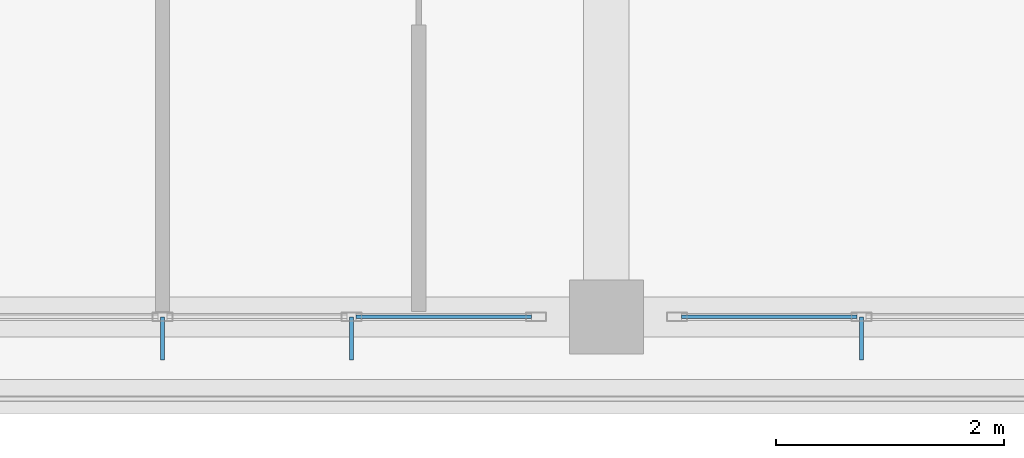
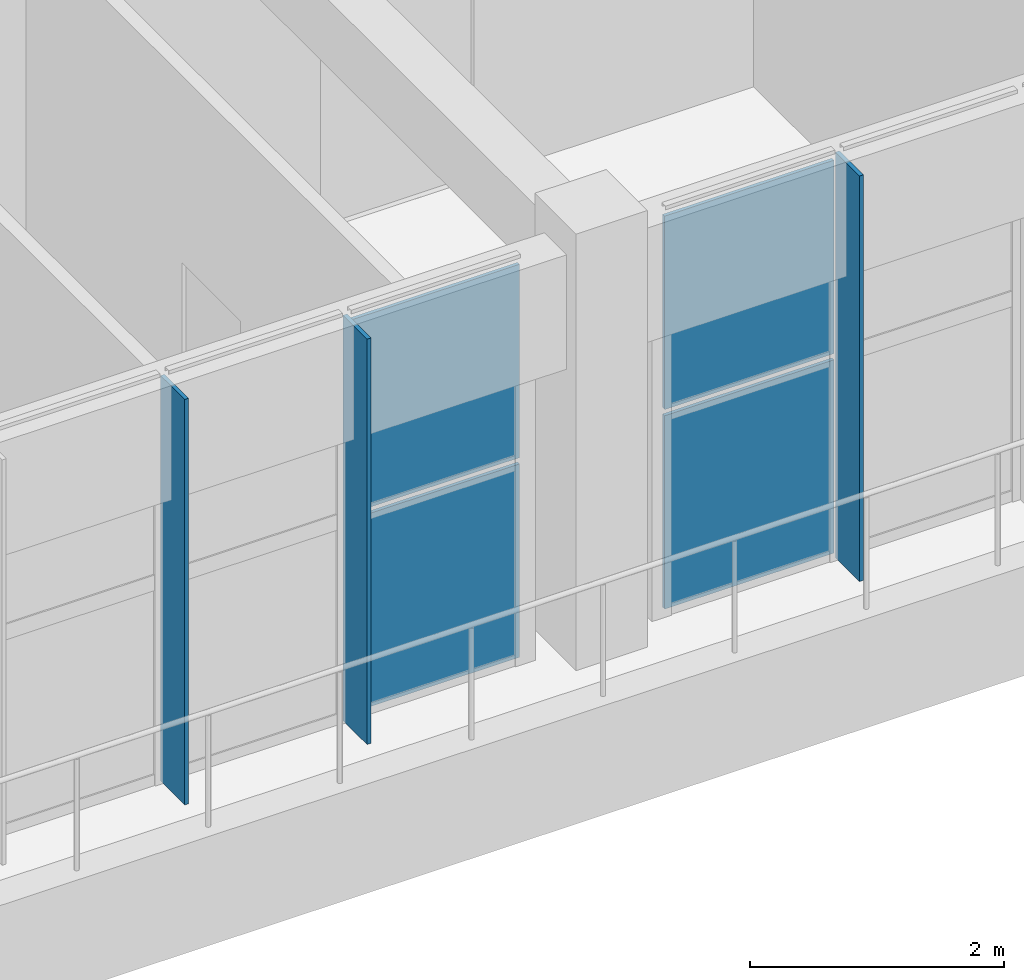
# One storey, part 41 of 57: 7 plates, 2 elements without a shape of their own.
"""IFC4 building model written with IfcOpenShell, lengths in metres."""

import ifcopenshell
import ifcopenshell.guid

model = None  # the IFC model being written
_history = None  # IfcOwnerHistory: only IFC2X3 demands one
_inside = {}  # id of a spatial element -> (the spatial element, [elements in it])
_under = {}  # id of a project, library or spatial element -> (it, [spatial elements below it])
_declared = {}  # id of a project -> (the project, [libraries it declares])
_typed = {}  # id of a type object -> (the type object, [elements of that type])
_made_of = {}  # id of a material, layer set ... -> (it, [elements and type objects made of it])


def new_model(schema):
    """Start an empty IFC model of exactly this schema.

    Asked for "IFC4X3", IfcOpenShell would pick the latest addendum, in which some entities
    have other attributes; the version numbers below select the first issue.
    IFC2X3 requires an IfcOwnerHistory on every rooted entity: one is made here for all.
    """
    global model, _history
    if schema == "IFC4X3":
        model = ifcopenshell.file(schema_version=(4, 3, 0, 0))
    else:
        model = ifcopenshell.file(schema=schema)
    _inside.clear()
    _under.clear()
    _declared.clear()
    _typed.clear()
    _made_of.clear()
    _history = None
    if model.schema == "IFC2X3":
        org = make("IfcOrganization", Name="unknown")
        user = make(
            "IfcPersonAndOrganization",
            ThePerson=make("IfcPerson", FamilyName="unknown"),
            TheOrganization=org,
        )
        app = make(
            "IfcApplication",
            ApplicationDeveloper=org,
            Version="unknown",
            ApplicationFullName="unknown",
            ApplicationIdentifier="unknown",
        )
        _history = make(
            "IfcOwnerHistory",
            OwningUser=user,
            OwningApplication=app,
            ChangeAction="ADDED",
            CreationDate=0,
        )
    return model


def make(cls, **values):
    """One entity of the class cls with the attributes given. An attribute that is None is left unset."""
    return model.create_entity(
        cls, **{name: value for name, value in values.items() if value is not None}
    )


def rooted(cls, **values):
    """An entity with a GlobalId (a new one), such as an element, a storey or a relation."""
    return make(cls, GlobalId=ifcopenshell.guid.new(), OwnerHistory=_history, **values)


def si_unit(unit_type, name, prefix=None):
    """IfcSIUnit, for example si_unit("LENGTHUNIT", "METRE", prefix="MILLI")."""
    return make("IfcSIUnit", UnitType=unit_type, Prefix=prefix, Name=name)


def assignment(units):
    """IfcUnitAssignment: the units of a project."""
    return None if units is None else make("IfcUnitAssignment", Units=units)


def point(xyz):
    """IfcCartesianPoint."""
    return None if xyz is None else make("IfcCartesianPoint", Coordinates=xyz)


def direction(xyz):
    """IfcDirection."""
    return None if xyz is None else make("IfcDirection", DirectionRatios=xyz)


def frame(location, z_axis=None, x_axis=None):
    """IfcAxis2Placement3D, a coordinate frame: its origin and axes. An axis left out is left unset."""
    return make(
        "IfcAxis2Placement3D",
        Location=point(location),
        Axis=direction(z_axis),
        RefDirection=direction(x_axis),
    )


def frame_2d(location, x_axis=None):
    """IfcAxis2Placement2D, a coordinate frame in the plane: its origin and x axis."""
    return make(
        "IfcAxis2Placement2D", Location=point(location), RefDirection=direction(x_axis)
    )


def origin():
    """The frame at (0, 0, 0) with its axes left unset."""
    return frame((0.0, 0.0, 0.0))


def origin_2d():
    """The frame at (0, 0) in the plane with its x axis left unset."""
    return frame_2d((0.0, 0.0))


def place(relative_to, where):
    """IfcLocalPlacement: puts the frame where relative to a parent placement (None: the world)."""
    return make(
        "IfcLocalPlacement", PlacementRelTo=relative_to, RelativePlacement=where
    )


def context(
    kind, dimensions, precision=None, world=None, true_north=None, identifier=None
):
    """IfcGeometricRepresentationContext, for example the 3D "Model" context."""
    return make(
        "IfcGeometricRepresentationContext",
        ContextIdentifier=identifier,
        ContextType=kind,
        CoordinateSpaceDimension=dimensions,
        Precision=precision,
        WorldCoordinateSystem=world,
        TrueNorth=true_north,
    )


def subcontext(parent, identifier, kind, view, scale=None):
    """IfcGeometricRepresentationSubContext, for example "Body" below "Model"."""
    return make(
        "IfcGeometricRepresentationSubContext",
        ContextIdentifier=identifier,
        ContextType=kind,
        ParentContext=parent,
        TargetScale=scale,
        TargetView=view,
    )


def project(units=None, contexts=None):
    """IfcProject with its units and contexts."""
    return rooted(
        "IfcProject",
        Name="project",
        RepresentationContexts=contexts,
        UnitsInContext=assignment(units),
    )


def spatial(cls, under=None, at=None, **own):
    """A site, building, storey or space (cls), placed at a placement, below another one or the project."""
    s = rooted(cls, ObjectPlacement=at, **own)
    if under is not None:
        _under.setdefault(under.id(), (under, []))[1].append(s)
    return s


def polyline(points):
    """IfcPolyline through the points."""
    return make("IfcPolyline", Points=[point(p) for p in points])


def profile(cls, at=None, kind="AREA", **sizes):
    """A parametric profile (cls). Its sizes go by their IFC names, for example OverallWidth=200.0."""
    return make(cls, ProfileType=kind, Position=at, **sizes)


def rectangle(**sizes):
    """IfcRectangleProfileDef."""
    return profile("IfcRectangleProfileDef", **sizes)


def outline(outer, holes=None, kind="AREA"):
    """IfcArbitraryClosedProfileDef: a profile drawn as a closed curve; with holes, ...WithVoids."""
    if holes is None:
        return make("IfcArbitraryClosedProfileDef", ProfileType=kind, OuterCurve=outer)
    return make(
        "IfcArbitraryProfileDefWithVoids",
        ProfileType=kind,
        OuterCurve=outer,
        InnerCurves=holes,
    )


def extrude(swept, where, along, depth):
    """IfcExtrudedAreaSolid: the profile swept, set in the frame where, extruded along a direction by depth."""
    return make(
        "IfcExtrudedAreaSolid",
        SweptArea=swept,
        Position=where,
        ExtrudedDirection=direction(along),
        Depth=depth,
    )


def shape(context_of_items, identifier, shape_type, items):
    """IfcShapeRepresentation: the items that make up one representation, for example the "Body"."""
    return make(
        "IfcShapeRepresentation",
        ContextOfItems=context_of_items,
        RepresentationIdentifier=identifier,
        RepresentationType=shape_type,
        Items=items,
    )


def material(Name=None, Category=None):
    """IfcMaterial."""
    return make("IfcMaterial", Name=Name, Category=Category)


def layer(
    of_material, thickness, ventilated=None, Name=None, Category=None, Priority=None
):
    """IfcMaterialLayer: one layer of a wall or slab, of a material (None: an air gap)."""
    return make(
        "IfcMaterialLayer",
        Material=of_material,
        LayerThickness=thickness,
        IsVentilated=ventilated,
        Name=Name,
        Category=Category,
        Priority=Priority,
    )


def layer_set(layers, Name=None):
    """IfcMaterialLayerSet."""
    return make("IfcMaterialLayerSet", MaterialLayers=layers, LayerSetName=Name)


def made_of(thing, what):
    """Note that an element or type object is made of a material, layer set ...; save() writes the relation."""
    if what is not None:
        _made_of.setdefault(what.id(), (what, []))[1].append(thing)
    return thing


def type_object(cls, material=None, **own):
    """A type object (cls), such as IfcWallType, which elements share."""
    return made_of(rooted(cls, **own), material)


def element(
    cls,
    number,
    at=None,
    inside=None,
    cuts=None,
    type_object=None,
    material=None,
    context=None,
    identifier="Body",
    shape_type=None,
    held_by="IfcProductDefinitionShape",
    body=None,
    shapes=None,
    **own,
):
    """One element of the class cls, such as IfcWall. Its Tag is "e" and its number.

    at: its placement. inside: the storey or other place that contains it. cuts: it is an
    opening in that element (IfcRelVoidsElement). A single representation is given by context,
    identifier, shape_type and body (its items); several are given by shapes. held_by: the class
    of the entity that holds the representations. save() writes the other relations.
    """
    e = rooted(cls, Tag="e%d" % number, ObjectPlacement=at, **own)
    if body is not None:
        shapes = [shape(context, identifier, shape_type, body)]
    if shapes is not None:
        e.Representation = make(held_by, Representations=shapes)
    if inside is not None:
        _inside.setdefault(inside.id(), (inside, []))[1].append(e)
    if cuts is not None:
        rooted(
            "IfcRelVoidsElement", RelatingBuildingElement=cuts, RelatedOpeningElement=e
        )
    if type_object is not None:
        _typed.setdefault(type_object.id(), (type_object, []))[1].append(e)
    return made_of(e, material)


def aggregate(whole, parts):
    """IfcRelAggregates: a whole, such as a stair, and the parts it consists of."""
    return rooted("IfcRelAggregates", RelatingObject=whole, RelatedObjects=parts)


def save(model, path):
    """Write the relations noted so far, then the file.

    IfcRelAggregates (storeys below a building ...), IfcRelContainedInSpatialStructure (elements
    in a storey), IfcRelDefinesByType, IfcRelAssociatesMaterial and IfcRelDeclares: one each for
    every whole, place, type object, material and project.
    """
    for whole, parts in _under.values():
        aggregate(whole, parts)
    for where, things in _inside.values():
        rooted(
            "IfcRelContainedInSpatialStructure",
            RelatedElements=things,
            RelatingStructure=where,
        )
    for kind, things in _typed.values():
        rooted("IfcRelDefinesByType", RelatedObjects=things, RelatingType=kind)
    for what, things in _made_of.values():
        rooted("IfcRelAssociatesMaterial", RelatedObjects=things, RelatingMaterial=what)
    for by, libraries in _declared.values():
        rooted("IfcRelDeclares", RelatingContext=by, RelatedDefinitions=libraries)
    model.write(path)


model = new_model("IFC4")

# Units and contexts
model_context = context("Model", 3, precision=1e-05, world=origin(), true_north=direction((0.0, 1.0)))
body_context = subcontext(model_context, "Body", "Model", "MODEL_VIEW")
ifc_project = project(units=[si_unit("LENGTHUNIT", "METRE"), si_unit("AREAUNIT", "SQUARE_METRE"), si_unit("VOLUMEUNIT", "CUBIC_METRE"), si_unit("PLANEANGLEUNIT", "RADIAN"), si_unit("MASSUNIT", "GRAM", prefix="KILO")], contexts=[model_context])

# Site, building, storey
site_placement = place(None, origin())
site = spatial("IfcSite", under=ifc_project, at=site_placement, CompositionType="ELEMENT")
building_placement = place(site_placement, origin())
building = spatial("IfcBuilding", under=site, at=building_placement, Name="Zizhar Promenade General Hospital", CompositionType="ELEMENT")
storey_placement = place(building_placement, frame((0.0, 0.0, 22.199951171875)))
storey = spatial("IfcBuildingStorey", under=building, at=storey_placement, Name="L05", CompositionType="ELEMENT", Elevation=22.199951171875)

# Curtain wall, plates
ifc_material_1 = material(Name="Anodised aluminium 6063-T6 and low-E glass", Category="aluminium")
ifc_layer_1 = layer(ifc_material_1, 0.159912109375)
ifc_layer_set_1 = layer_set([ifc_layer_1], Name="Anodised aluminium 6063-T6 and low-E glass")
curtain_wall_type = type_object("IfcCurtainWallType", Name="CW-WARD-RIB", PredefinedType="NOTDEFINED", material=ifc_layer_set_1)
curtain_wall_1_placement = place(storey_placement, origin())
curtain_wall_1 = element("IfcCurtainWall", 1, at=curtain_wall_1_placement, inside=storey, type_object=curtain_wall_type, Name="Ward Ribbon Curtain Wall L05-17-4", PredefinedType="NOTDEFINED")
ifc_material_2 = material(Name="Low-E solar-control glass", Category="glass")
ifc_layer_2 = layer(ifc_material_2, 0.031982421875)
ifc_layer_set_2 = layer_set([ifc_layer_2], Name="Low-E solar-control glass")
plate_type_1 = type_object("IfcPlateType", Name="CWP-GLZ-32", PredefinedType="CURTAIN_PANEL", material=ifc_layer_set_2)
plate_1_placement = place(storey_placement, frame((79.429931640625, 0.0, 0.06005859375), z_axis=(0.0, 0.0, 1.0), x_axis=(-1.0, 0.0, 0.0)))
plate_1 = element("IfcPlate", 2, at=plate_1_placement, type_object=plate_type_1, Name="CW-13 panel 4.1", PredefinedType="CURTAIN_PANEL", context=body_context, shape_type="SweptSolid", body=[
    extrude(rectangle(XDim=1.5400390625, YDim=0.031982421875, at=origin_2d()), origin(), (0.0, 0.0, 1.0), 1.860107421875),
])
plate_2_placement = place(storey_placement, frame((79.429931640625, 0.0, 1.97998046875), z_axis=(0.0, 0.0, 1.0), x_axis=(-1.0, 0.0, 0.0)))
plate_2 = element("IfcPlate", 3, at=plate_2_placement, type_object=plate_type_1, Name="CW-13 panel 4.2", PredefinedType="CURTAIN_PANEL", context=body_context, shape_type="SweptSolid", body=[
    extrude(rectangle(XDim=1.5400390625, YDim=0.031982421875, at=origin_2d()), origin(), (0.0, 0.0, 1.0), 1.860107421875),
])
aggregate(curtain_wall_1, [plate_1, plate_2])

curtain_wall_2_placement = place(storey_placement, origin())
curtain_wall_2 = element("IfcCurtainWall", 4, at=curtain_wall_2_placement, inside=storey, type_object=curtain_wall_type, Name="Ward Ribbon Curtain Wall L05-17-5", PredefinedType="NOTDEFINED")
plate_3_placement = place(storey_placement, frame((76.570068359375, 0.0, 0.06005859375), z_axis=(0.0, 0.0, 1.0), x_axis=(-1.0, 0.0, 0.0)))
plate_3 = element("IfcPlate", 5, at=plate_3_placement, type_object=plate_type_1, Name="CW-13 panel 1.1", PredefinedType="CURTAIN_PANEL", context=body_context, shape_type="SweptSolid", body=[
    extrude(rectangle(XDim=1.5400390625, YDim=0.031982421875, at=origin_2d()), origin(), (0.0, 0.0, 1.0), 1.860107421875),
])
plate_4_placement = place(storey_placement, frame((76.570068359375, 0.0, 1.97998046875), z_axis=(0.0, 0.0, 1.0), x_axis=(-1.0, 0.0, 0.0)))
plate_4 = element("IfcPlate", 6, at=plate_4_placement, type_object=plate_type_1, Name="CW-13 panel 1.2", PredefinedType="CURTAIN_PANEL", context=body_context, shape_type="SweptSolid", body=[
    extrude(rectangle(XDim=1.5400390625, YDim=0.031982421875, at=origin_2d()), origin(), (0.0, 0.0, 1.0), 1.860107421875),
])
aggregate(curtain_wall_2, [plate_3, plate_4])

# Plates
ifc_material_3 = material(Name="Anodised aluminium 6063-T6", Category="aluminium")
ifc_layer_3 = layer(ifc_material_3, 0.035888671875)
ifc_layer_set_3 = layer_set([ifc_layer_3], Name="Anodised aluminium 6063-T6")
plate_type_2 = type_object("IfcPlateType", Name="FIN-ALU-380", PredefinedType="USERDEFINED", material=ifc_layer_set_3)
plate_5_placement = place(storey_placement, origin())
element("IfcPlate", 7, at=plate_5_placement, inside=storey, type_object=plate_type_2, Name="Ward Ribbon Curtain Wall L05-17-4 Solar Fin 3", ObjectType="SOLAR_SHADE", PredefinedType="USERDEFINED", context=body_context, shape_type="SweptSolid", body=[
    extrude(outline(polyline([(80.258056640625, 0.0), (80.221923828125, 0.0), (80.221923828125, -0.3798828125), (80.258056640625, -0.3798828125), (80.258056640625, 0.0)])), origin(), (0.0, 0.0, 1.0), 3.900146484375),
])
plate_6_placement = place(storey_placement, origin())
element("IfcPlate", 8, at=plate_6_placement, inside=storey, type_object=plate_type_2, Name="Ward Ribbon Curtain Wall L05-17-5 Solar Fin 1", ObjectType="SOLAR_SHADE", PredefinedType="USERDEFINED", context=body_context, shape_type="SweptSolid", body=[
    extrude(outline(polyline([(75.778076171875, 0.0), (75.741943359375, 0.0), (75.741943359375, -0.3798828125), (75.778076171875, -0.3798828125), (75.778076171875, 0.0)])), origin(), (0.0, 0.0, 1.0), 3.900146484375),
])
plate_7_placement = place(storey_placement, origin())
element("IfcPlate", 9, at=plate_7_placement, inside=storey, type_object=plate_type_2, Name="Ward Ribbon Curtain Wall L05-17-5 Solar Fin 2", ObjectType="SOLAR_SHADE", PredefinedType="USERDEFINED", context=body_context, shape_type="SweptSolid", body=[
    extrude(outline(polyline([(74.117919921875, 0.0), (74.08203125, 0.0), (74.08203125, -0.3798828125), (74.117919921875, -0.3798828125), (74.117919921875, 0.0)])), origin(), (0.0, 0.0, 1.0), 3.900146484375),
])

save(model, "model.ifc")
